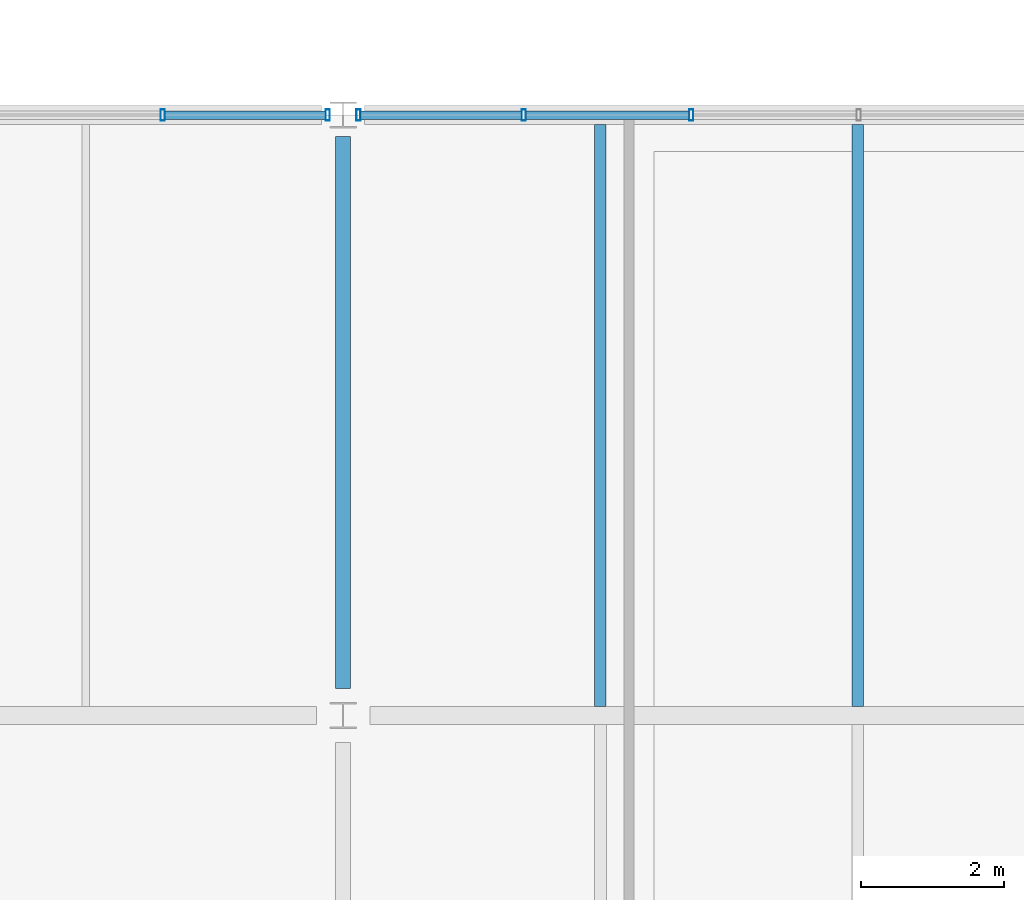
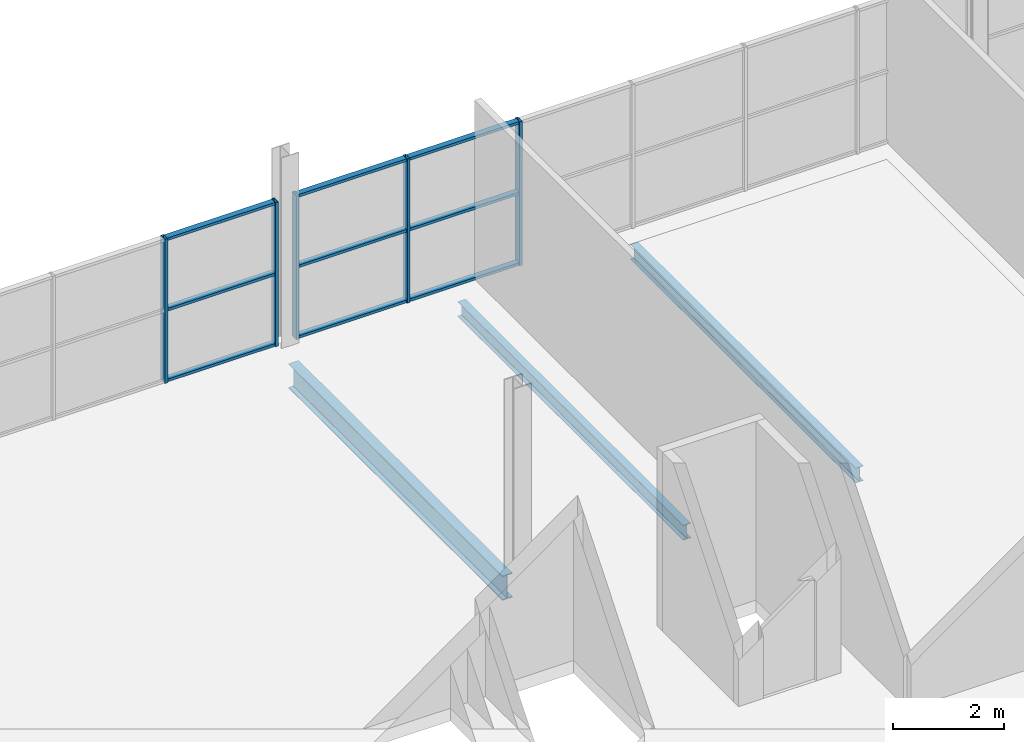
# One storey, part 79 of 161: 14 members, 3 beams, 2 elements without a shape of their own.
"""IFC4 building model written with IfcOpenShell, lengths in metres."""

from ifc_helpers import new_model, si_unit, direction, frame, origin, origin_2d, place, context, subcontext, project, spatial, hollow_rectangle, i_section, extrude, material, material_profile, profile_set, type_object, element, aggregate, save


model = new_model("IFC4")

# Units and contexts
model_context = context("Model", 3, precision=1e-05, world=origin(), true_north=direction((0.0, 1.0)))
body_context = subcontext(model_context, "Body", "Model", "MODEL_VIEW")
ifc_project = project(units=[si_unit("LENGTHUNIT", "METRE"), si_unit("AREAUNIT", "SQUARE_METRE"), si_unit("VOLUMEUNIT", "CUBIC_METRE"), si_unit("PLANEANGLEUNIT", "RADIAN"), si_unit("MASSUNIT", "GRAM", prefix="KILO"), si_unit("THERMODYNAMICTEMPERATUREUNIT", "KELVIN")], contexts=[model_context])

# Site, building, storey
site_placement = place(None, origin())
site = spatial("IfcSite", under=ifc_project, at=site_placement, CompositionType="ELEMENT")
building_placement = place(site_placement, origin())
building = spatial("IfcBuilding", under=site, at=building_placement, Name="Nduvali Passage Aquatics Centre", CompositionType="ELEMENT")
storey_placement = place(building_placement, frame((0.0, 0.0, 4.800048828125)))
storey = spatial("IfcBuildingStorey", under=building, at=storey_placement, Name="L01", CompositionType="ELEMENT", Elevation=4.800048828125)

# Curtain wall, members
ifc_material_1 = material(Name="Aluminium EN AW-6063 T6", Category="aluminium")
curtain_wall_type = type_object("IfcCurtainWallType", Name="ENV-CW-WELL", PredefinedType="NOTDEFINED", material=ifc_material_1)
curtain_wall_1_placement = place(storey_placement, origin())
curtain_wall_1 = element("IfcCurtainWall", 1, at=curtain_wall_1_placement, inside=storey, type_object=curtain_wall_type, Name="L01 North Avenue Fitness CW 103", PredefinedType="NOTDEFINED")
ifc_material_profile_1 = material_profile(ifc_material_1, hollow_rectangle(XDim=0.06005859375, YDim=0.159912109375, WallThickness=0.00390625, at=origin_2d()), Name="ALU MULLION 60x160x4")
ifc_profile_set_1 = profile_set([ifc_material_profile_1], Name="Aluminium EN AW-6063 T6")
member_type_1 = type_object("IfcMemberType", Name="ENV-MEM-MUL60", PredefinedType="MULLION", material=ifc_profile_set_1)
member_1_placement = place(storey_placement, frame((80.276611328125, 117.60009765625, 0.0), z_axis=(0.0, 0.0, 1.0), x_axis=(1.0, 0.0, 0.0)))
member_1 = element("IfcMember", 2, at=member_1_placement, type_object=member_type_1, Name="North Avenue Fitness CW Mullion 6", PredefinedType="MULLION", context=body_context, shape_type="SweptSolid", body=[
    extrude(hollow_rectangle(XDim=0.06005859375, YDim=0.159912109375, WallThickness=0.00390625, at=origin_2d()), origin(), (0.0, 0.0, 1.0), 3.173828125),
])
member_2_placement = place(storey_placement, frame((82.584716796875, 117.60009765625, 0.0), z_axis=(0.0, 0.0, 1.0), x_axis=(1.0, 0.0, 0.0)))
member_2 = element("IfcMember", 3, at=member_2_placement, type_object=member_type_1, Name="North Avenue Fitness CW Mullion 7", PredefinedType="MULLION", context=body_context, shape_type="SweptSolid", body=[
    extrude(hollow_rectangle(XDim=0.06005859375, YDim=0.159912109375, WallThickness=0.00390625, at=origin_2d()), origin(), (0.0, 0.0, 1.0), 3.173828125),
])

curtain_wall_2_placement = place(storey_placement, origin())
curtain_wall_2 = element("IfcCurtainWall", 4, at=curtain_wall_2_placement, inside=storey, type_object=curtain_wall_type, Name="L01 North Avenue Fitness CW 108", PredefinedType="NOTDEFINED")
member_3_placement = place(storey_placement, frame((83.01513671875, 117.60009765625, 0.0), z_axis=(0.0, 0.0, 1.0), x_axis=(1.0, 0.0, 0.0)))
member_3 = element("IfcMember", 5, at=member_3_placement, type_object=member_type_1, Name="North Avenue Fitness CW Mullion 1", PredefinedType="MULLION", context=body_context, shape_type="SweptSolid", body=[
    extrude(hollow_rectangle(XDim=0.06005859375, YDim=0.159912109375, WallThickness=0.00390625, at=origin_2d()), origin(), (0.0, 0.0, 1.0), 3.173828125),
])
member_4_placement = place(storey_placement, frame((85.32861328125, 117.60009765625, 0.0), z_axis=(0.0, 0.0, 1.0), x_axis=(1.0, 0.0, 0.0)))
member_4 = element("IfcMember", 6, at=member_4_placement, type_object=member_type_1, Name="North Avenue Fitness CW Mullion 2", PredefinedType="MULLION", context=body_context, shape_type="SweptSolid", body=[
    extrude(hollow_rectangle(XDim=0.06005859375, YDim=0.159912109375, WallThickness=0.00390625, at=origin_2d()), origin(), (0.0, 0.0, 1.0), 3.173828125),
])
member_5_placement = place(storey_placement, frame((87.671875, 117.60009765625, 0.0), z_axis=(0.0, 0.0, 1.0), x_axis=(1.0, 0.0, 0.0)))
member_5 = element("IfcMember", 7, at=member_5_placement, type_object=member_type_1, Name="North Avenue Fitness CW Mullion 3", PredefinedType="MULLION", context=body_context, shape_type="SweptSolid", body=[
    extrude(hollow_rectangle(XDim=0.06005859375, YDim=0.159912109375, WallThickness=0.00390625, at=origin_2d()), origin(), (0.0, 0.0, 1.0), 3.173828125),
])

# Member
ifc_material_profile_2 = material_profile(ifc_material_1, hollow_rectangle(XDim=0.1201171875, YDim=0.06005859375, WallThickness=0.00390625, at=origin_2d()), Name="ALU TRANSOM 120x60x4")
ifc_profile_set_2 = profile_set([ifc_material_profile_2], Name="Aluminium EN AW-6063 T6")
member_type_2 = type_object("IfcMemberType", Name="ENV-MEM-TRN60", PredefinedType="USERDEFINED", material=ifc_profile_set_2)
member_6_placement = place(storey_placement, frame((80.306396484375, 117.60009765625, 0.030029296875), z_axis=(1.0, 0.0, 0.0), x_axis=(0.0, 1.0, 0.0)))
member_6 = element("IfcMember", 8, at=member_6_placement, type_object=member_type_2, Name="North Avenue Fitness CW Transom B6-R0", ObjectType="TRANSOM", PredefinedType="USERDEFINED", context=body_context, shape_type="SweptSolid", body=[
    extrude(hollow_rectangle(XDim=0.1201171875, YDim=0.06005859375, WallThickness=0.00390625, at=origin_2d()), origin(), (0.0, 0.0, 1.0), 2.248291015625),
])

member_7_placement = place(storey_placement, frame((80.306396484375, 117.60009765625, 1.5869140625), z_axis=(1.0, 0.0, 0.0), x_axis=(0.0, 1.0, 0.0)))
member_7 = element("IfcMember", 9, at=member_7_placement, type_object=member_type_2, Name="North Avenue Fitness CW Transom B6-R1", ObjectType="TRANSOM", PredefinedType="USERDEFINED", context=body_context, shape_type="SweptSolid", body=[
    extrude(hollow_rectangle(XDim=0.1201171875, YDim=0.06005859375, WallThickness=0.00390625, at=origin_2d()), origin(), (0.0, 0.0, 1.0), 2.248291015625),
])

member_8_placement = place(storey_placement, frame((80.306396484375, 117.60009765625, 3.143798828125), z_axis=(1.0, 0.0, 0.0), x_axis=(0.0, 1.0, 0.0)))
member_8 = element("IfcMember", 10, at=member_8_placement, type_object=member_type_2, Name="North Avenue Fitness CW Transom B6-R2", ObjectType="TRANSOM", PredefinedType="USERDEFINED", context=body_context, shape_type="SweptSolid", body=[
    extrude(hollow_rectangle(XDim=0.1201171875, YDim=0.06005859375, WallThickness=0.00390625, at=origin_2d()), origin(), (0.0, 0.0, 1.0), 2.248291015625),
])

aggregate(curtain_wall_1, [member_1, member_2, member_6, member_7, member_8])

member_9_placement = place(storey_placement, frame((83.045166015625, 117.60009765625, 0.030029296875), z_axis=(1.0, 0.0, 0.0), x_axis=(0.0, 1.0, 0.0)))
member_9 = element("IfcMember", 11, at=member_9_placement, type_object=member_type_2, Name="North Avenue Fitness CW Transom B1-R0", ObjectType="TRANSOM", PredefinedType="USERDEFINED", context=body_context, shape_type="SweptSolid", body=[
    extrude(hollow_rectangle(XDim=0.1201171875, YDim=0.06005859375, WallThickness=0.00390625, at=origin_2d()), origin(), (0.0, 0.0, 1.0), 2.25341796875),
])

member_10_placement = place(storey_placement, frame((83.045166015625, 117.60009765625, 1.5869140625), z_axis=(1.0, 0.0, 0.0), x_axis=(0.0, 1.0, 0.0)))
member_10 = element("IfcMember", 12, at=member_10_placement, type_object=member_type_2, Name="North Avenue Fitness CW Transom B1-R1", ObjectType="TRANSOM", PredefinedType="USERDEFINED", context=body_context, shape_type="SweptSolid", body=[
    extrude(hollow_rectangle(XDim=0.1201171875, YDim=0.06005859375, WallThickness=0.00390625, at=origin_2d()), origin(), (0.0, 0.0, 1.0), 2.25341796875),
])

member_11_placement = place(storey_placement, frame((83.045166015625, 117.60009765625, 3.143798828125), z_axis=(1.0, 0.0, 0.0), x_axis=(0.0, 1.0, 0.0)))
member_11 = element("IfcMember", 13, at=member_11_placement, type_object=member_type_2, Name="North Avenue Fitness CW Transom B1-R2", ObjectType="TRANSOM", PredefinedType="USERDEFINED", context=body_context, shape_type="SweptSolid", body=[
    extrude(hollow_rectangle(XDim=0.1201171875, YDim=0.06005859375, WallThickness=0.00390625, at=origin_2d()), origin(), (0.0, 0.0, 1.0), 2.25341796875),
])

member_12_placement = place(storey_placement, frame((85.358642578125, 117.60009765625, 0.030029296875), z_axis=(1.0, 0.0, 0.0), x_axis=(0.0, 1.0, 0.0)))
member_12 = element("IfcMember", 14, at=member_12_placement, type_object=member_type_2, Name="North Avenue Fitness CW Transom B2-R0", ObjectType="TRANSOM", PredefinedType="USERDEFINED", context=body_context, shape_type="SweptSolid", body=[
    extrude(hollow_rectangle(XDim=0.1201171875, YDim=0.06005859375, WallThickness=0.00390625, at=origin_2d()), origin(), (0.0, 0.0, 1.0), 2.283203125),
])

member_13_placement = place(storey_placement, frame((85.358642578125, 117.60009765625, 1.5869140625), z_axis=(1.0, 0.0, 0.0), x_axis=(0.0, 1.0, 0.0)))
member_13 = element("IfcMember", 15, at=member_13_placement, type_object=member_type_2, Name="North Avenue Fitness CW Transom B2-R1", ObjectType="TRANSOM", PredefinedType="USERDEFINED", context=body_context, shape_type="SweptSolid", body=[
    extrude(hollow_rectangle(XDim=0.1201171875, YDim=0.06005859375, WallThickness=0.00390625, at=origin_2d()), origin(), (0.0, 0.0, 1.0), 2.283203125),
])

member_14_placement = place(storey_placement, frame((85.358642578125, 117.60009765625, 3.143798828125), z_axis=(1.0, 0.0, 0.0), x_axis=(0.0, 1.0, 0.0)))
member_14 = element("IfcMember", 16, at=member_14_placement, type_object=member_type_2, Name="North Avenue Fitness CW Transom B2-R2", ObjectType="TRANSOM", PredefinedType="USERDEFINED", context=body_context, shape_type="SweptSolid", body=[
    extrude(hollow_rectangle(XDim=0.1201171875, YDim=0.06005859375, WallThickness=0.00390625, at=origin_2d()), origin(), (0.0, 0.0, 1.0), 2.283203125),
])

aggregate(curtain_wall_2, [member_3, member_4, member_5, member_9, member_10, member_11, member_12, member_13, member_14])

# Beams
ifc_material_2 = material(Name="Steel S355", Category="steel")
ifc_material_profile_3 = material_profile(ifc_material_2, i_section(OverallWidth=0.210693359375, OverallDepth=0.53955078125, WebThickness=0.01171875, FlangeThickness=0.018798828125, FilletRadius=0.0126953125, at=origin_2d()), Name="UKB 533x210x109")
ifc_profile_set_3 = profile_set([ifc_material_profile_3], Name="Steel S355")
beam_type_1 = type_object("IfcBeamType", Name="STR-BM-UKB533", PredefinedType="BEAM", material=ifc_profile_set_3)
beam_placement = place(storey_placement, frame((82.800048828125, 109.574951171875, -0.553955078125), z_axis=(0.0, 1.0, 0.0), x_axis=(-1.0, 0.0, 0.0)))
element("IfcBeam", 17, at=beam_placement, inside=storey, type_object=beam_type_1, Name="L01 Primary Y-Girder B6-0605", PredefinedType="BEAM", context=body_context, shape_type="SweptSolid", body=[
    extrude(i_section(OverallWidth=0.210693359375, OverallDepth=0.53955078125, WebThickness=0.01171875, FlangeThickness=0.018798828125, FilletRadius=0.0126953125, at=origin_2d()), origin(), (0.0, 0.0, 1.0), 7.72509765625),
])
ifc_material_profile_4 = material_profile(ifc_material_2, i_section(OverallWidth=0.159912109375, OverallDepth=0.330078125, WebThickness=0.007568359375, FlangeThickness=0.011474609375, FilletRadius=0.01806640625, at=origin_2d()), Name="IPE 330")
ifc_profile_set_4 = profile_set([ifc_material_profile_4], Name="Steel S355")
beam_type_2 = type_object("IfcBeamType", Name="STR-JST-IPE330", PredefinedType="JOIST", material=ifc_profile_set_4)
for number, where, z_axis, x_axis, name in (
    (18, (86.39990234375, 109.326904296875, -0.448974609375), (0.0, 1.0, 0.0), (-1.0, 0.0, 0.0), "L01 Secondary Joist J6A-0850"),
    (19, (90.0, 109.326904296875, -0.448974609375), (0.0, 1.0, 0.0), (-1.0, 0.0, 0.0), "L01 Secondary Joist J6A-0851"),
):
    element("IfcBeam", number, at=place(storey_placement, frame(where, z_axis=z_axis, x_axis=x_axis)), inside=storey, type_object=beam_type_2, Name=name, PredefinedType="JOIST", context=body_context, shape_type="SweptSolid", body=[
        extrude(i_section(OverallWidth=0.159912109375, OverallDepth=0.330078125, WebThickness=0.007568359375, FlangeThickness=0.011474609375, FilletRadius=0.01806640625, at=origin_2d()), origin(), (0.0, 0.0, 1.0), 8.139892578125),
    ])

save(model, "model.ifc")
